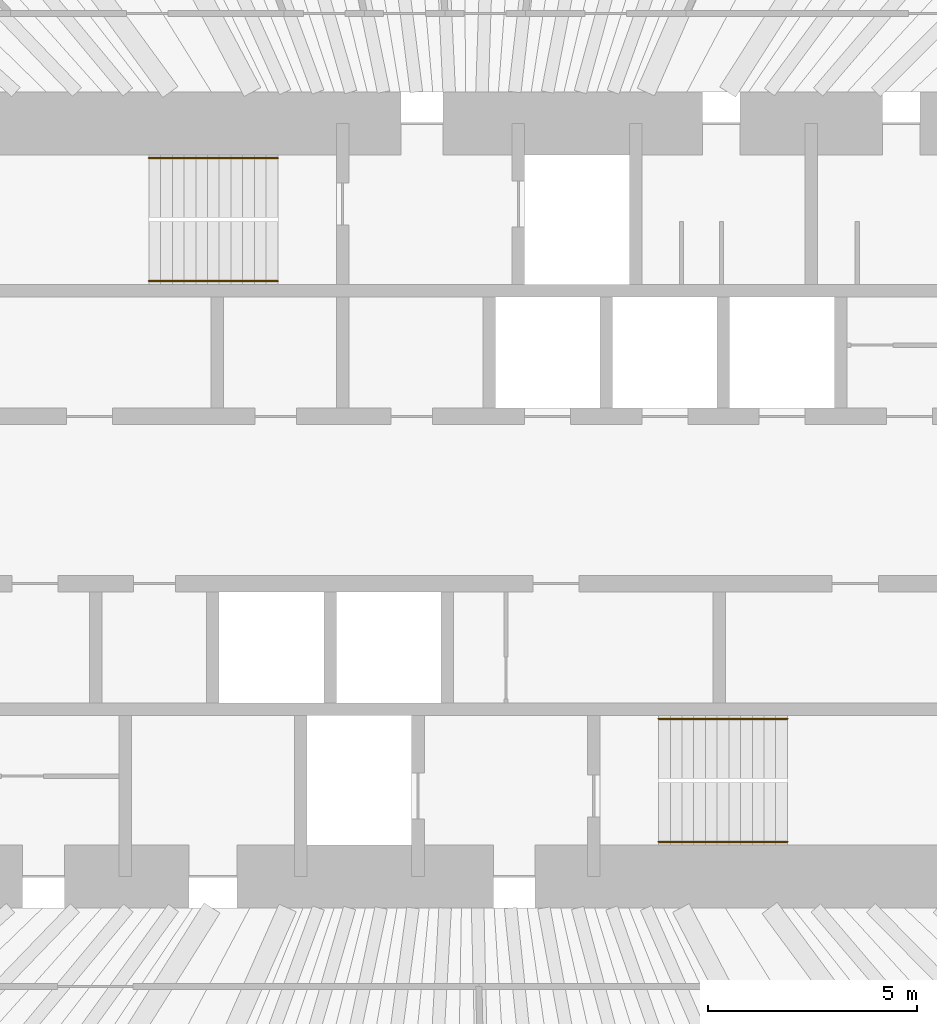
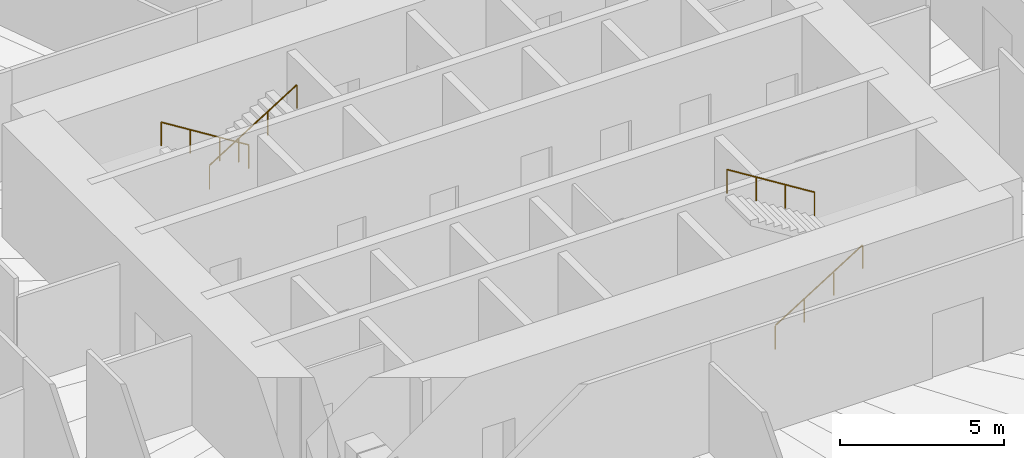
# One storey, part 13 of 13: 4 railings.
"""IFC4 building model written with IfcOpenShell, lengths in metres."""

from ifc_helpers import new_model, si_unit, direction, frame, origin, origin_2d, place, context, subcontext, project, spatial, circle, extrude, material, type_object, element, save


model = new_model("IFC4")

# Units and contexts
model_context = context("Model", 3, precision=1e-05, world=origin(), true_north=direction((0.0, 1.0)))
body_context = subcontext(model_context, "Body", "Model", "MODEL_VIEW")
ifc_project = project(units=[si_unit("LENGTHUNIT", "METRE"), si_unit("AREAUNIT", "SQUARE_METRE"), si_unit("VOLUMEUNIT", "CUBIC_METRE"), si_unit("PLANEANGLEUNIT", "RADIAN"), si_unit("MASSUNIT", "GRAM", prefix="KILO")], contexts=[model_context])

# Site, building, storey
site_placement = place(None, origin())
site = spatial("IfcSite", under=ifc_project, at=site_placement, CompositionType="ELEMENT")
building_placement = place(site_placement, origin())
building = spatial("IfcBuilding", under=site, at=building_placement, Name="Qingtian Harvest Tower", CompositionType="ELEMENT")
storey_placement = place(building_placement, frame((0.0, 0.0, 136.60009765625)))
storey = spatial("IfcBuildingStorey", under=building, at=storey_placement, Name="L28", CompositionType="ELEMENT", Elevation=136.60009765625)

# Railings
ifc_material = material(Name="Stainless steel handrail", Category="steel")
railing_type = type_object("IfcRailingType", Name="Handrail HR1", PredefinedType="HANDRAIL", material=ifc_material)
railing_1_placement = place(storey_placement, frame((-4.550048828125, 8.169921875, 0.1748046875)))
element("IfcRailing", 1, at=railing_1_placement, inside=storey, type_object=railing_type, Name="Handrail HR1 S1 flight 1", PredefinedType="HANDRAIL", context=body_context, shape_type="SweptSolid", body=[
    extrude(circle(Radius=0.02392578125, at=origin_2d()), frame((0.0, 0.0, 0.8759765625), z_axis=(-0.847979421464, 0.0, 0.530029150871), x_axis=(0.0, -1.0, 0.0)), (0.0, 0.0, 1.0), 3.632080078125),
    extrude(circle(Radius=0.02099609375, at=origin_2d()), origin(), (0.0, 0.0, 1.0), 0.851806640625),
    extrude(circle(Radius=0.02099609375, at=origin_2d()), frame((-1.026611328125, 0.0, 0.6416015625)), (0.0, 0.0, 1.0), 0.851806640625),
    extrude(circle(Radius=0.02099609375, at=origin_2d()), frame((-2.05322265625, 0.0, 1.283447265625)), (0.0, 0.0, 1.0), 0.851806640625),
    extrude(circle(Radius=0.02099609375, at=origin_2d()), frame((-3.079833984375, 0.0, 1.925048828125)), (0.0, 0.0, 1.0), 0.851806640625),
])
for number, where, name in (
    (2, (-7.6298828125, 5.22998046875, 2.27490234375), "Handrail HR1 S1 flight 2"),
    (3, (4.550048828125, -8.169921875, 0.1748046875), "Handrail HR1 S2 flight 1"),
):
    element("IfcRailing", number, at=place(storey_placement, frame(where)), inside=storey, type_object=railing_type, Name=name, PredefinedType="HANDRAIL", context=body_context, shape_type="SweptSolid", body=[
        extrude(circle(Radius=0.02392578125, at=origin_2d()), frame((0.0, 0.0, 0.8759765625), z_axis=(0.847979421464, 0.0, 0.530029150871), x_axis=(0.0, 1.0, 0.0)), (0.0, 0.0, 1.0), 3.632080078125),
        extrude(circle(Radius=0.02099609375, at=origin_2d()), origin(), (0.0, 0.0, 1.0), 0.851806640625),
        extrude(circle(Radius=0.02099609375, at=origin_2d()), frame((1.026611328125, 0.0, 0.6416015625)), (0.0, 0.0, 1.0), 0.851806640625),
        extrude(circle(Radius=0.02099609375, at=origin_2d()), frame((2.05322265625, 0.0, 1.283447265625)), (0.0, 0.0, 1.0), 0.851806640625),
        extrude(circle(Radius=0.02099609375, at=origin_2d()), frame((3.079833984375, 0.0, 1.925048828125)), (0.0, 0.0, 1.0), 0.851806640625),
    ])
railing_2_placement = place(storey_placement, frame((7.6298828125, -5.22998046875, 2.27490234375)))
element("IfcRailing", 4, at=railing_2_placement, inside=storey, type_object=railing_type, Name="Handrail HR1 S2 flight 2", PredefinedType="HANDRAIL", context=body_context, shape_type="SweptSolid", body=[
    extrude(circle(Radius=0.02392578125, at=origin_2d()), frame((0.0, 0.0, 0.8759765625), z_axis=(-0.847979421464, 0.0, 0.530029150871), x_axis=(0.0, -1.0, 0.0)), (0.0, 0.0, 1.0), 3.632080078125),
    extrude(circle(Radius=0.02099609375, at=origin_2d()), origin(), (0.0, 0.0, 1.0), 0.851806640625),
    extrude(circle(Radius=0.02099609375, at=origin_2d()), frame((-1.026611328125, 0.0, 0.6416015625)), (0.0, 0.0, 1.0), 0.851806640625),
    extrude(circle(Radius=0.02099609375, at=origin_2d()), frame((-2.05322265625, 0.0, 1.283447265625)), (0.0, 0.0, 1.0), 0.851806640625),
    extrude(circle(Radius=0.02099609375, at=origin_2d()), frame((-3.079833984375, 0.0, 1.925048828125)), (0.0, 0.0, 1.0), 0.851806640625),
])

save(model, "model.ifc")
